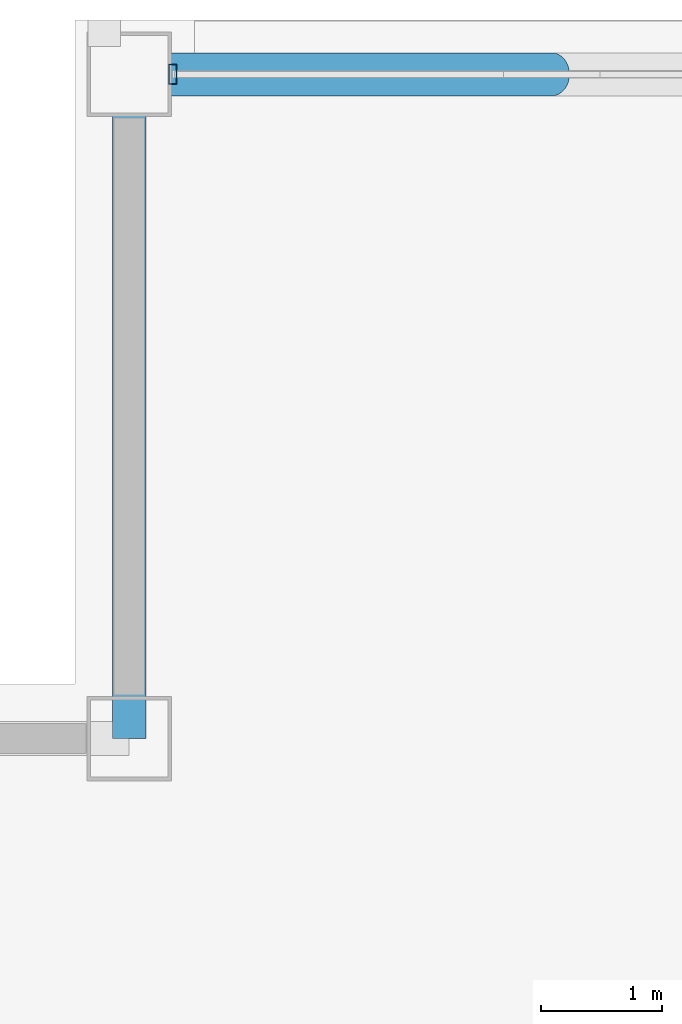
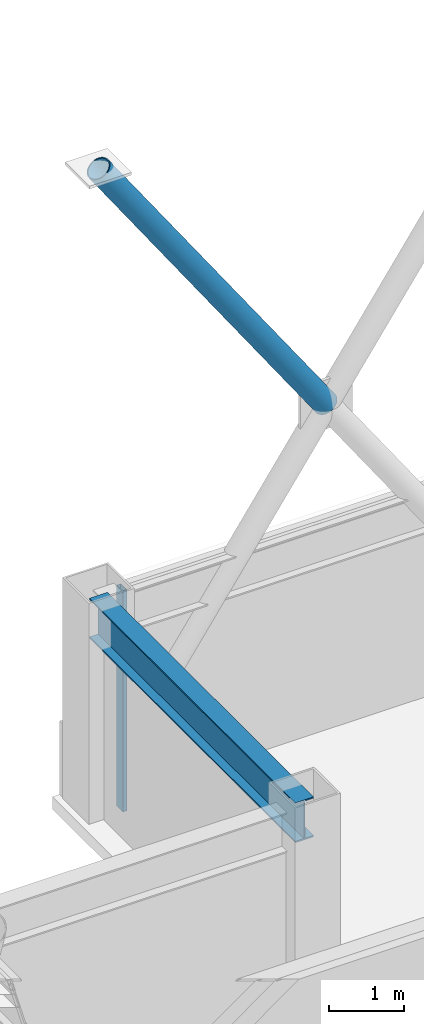
# One storey, part 21 of 33: 2 members, 1 beam, 1 element without a shape of its own.
"""IFC4 building model written with IfcOpenShell, lengths in metres."""

from ifc_helpers import new_model, si_unit, direction, frame, origin, origin_2d, place, context, subcontext, project, spatial, hollow_rectangle, hollow_circle, i_section, extrude, material, layer, layer_set, material_profile, profile_set, type_object, element, aggregate, save


model = new_model("IFC4")

# Units and contexts
model_context = context("Model", 3, precision=1e-05, world=origin(), true_north=direction((0.0, 1.0)))
body_context = subcontext(model_context, "Body", "Model", "MODEL_VIEW")
ifc_project = project(units=[si_unit("LENGTHUNIT", "METRE"), si_unit("AREAUNIT", "SQUARE_METRE"), si_unit("VOLUMEUNIT", "CUBIC_METRE"), si_unit("PLANEANGLEUNIT", "RADIAN"), si_unit("MASSUNIT", "GRAM", prefix="KILO")], contexts=[model_context])

# Site, building, storey
site_placement = place(None, origin())
site = spatial("IfcSite", under=ifc_project, at=site_placement, CompositionType="ELEMENT")
building_placement = place(site_placement, origin())
building = spatial("IfcBuilding", under=site, at=building_placement, Name="Brelmoor Portico Tower", CompositionType="ELEMENT")
storey_placement = place(building_placement, frame((0.0, 0.0, 194.699951171875)))
storey = spatial("IfcBuildingStorey", under=building, at=storey_placement, Name="L51", CompositionType="ELEMENT", Elevation=194.699951171875)

# Beam
ifc_material_1 = material(Name="Steel Q355B", Category="steel")
ifc_material_profile_1 = material_profile(ifc_material_1, i_section(OverallWidth=0.280029296875, OverallDepth=0.64990234375, WebThickness=0.012939453125, FlangeThickness=0.02197265625, at=origin_2d()), Name="HN 650x280x13x22")
ifc_profile_set_1 = profile_set([ifc_material_profile_1], Name="Steel Q355B")
beam_type = type_object("IfcBeamType", Name="BM-SP-650", PredefinedType="SPANDREL", material=ifc_profile_set_1)
beam_placement = place(storey_placement, frame((-15.050048828125, 13.050048828125, 3.074951171875), z_axis=(0.0, 1.0, 0.0), x_axis=(-1.0, 0.0, 0.0)))
element("IfcBeam", 1, at=beam_placement, inside=storey, type_object=beam_type, Name="L51 Perimeter Spandrel Beam SP-15", PredefinedType="SPANDREL", context=body_context, shape_type="SweptSolid", body=[
    extrude(i_section(OverallWidth=0.280029296875, OverallDepth=0.64990234375, WebThickness=0.012939453125, FlangeThickness=0.02197265625, at=origin_2d()), origin(), (0.0, 0.0, 1.0), 5.5),
])

# Member
ifc_material_profile_2 = material_profile(ifc_material_1, hollow_circle(Radius=0.177978515625, WallThickness=0.01611328125, at=origin_2d()), Name="CHS 356x16")
ifc_profile_set_2 = profile_set([ifc_material_profile_2], Name="Steel Q355B")
member_type_1 = type_object("IfcMemberType", Name="MB-BELT-DIAG2", PredefinedType="BRACE", material=ifc_profile_set_2)
member_1_placement = place(storey_placement, frame((-11.550048828125, 18.550048828125, 5.300048828125), z_axis=(-0.569629338867, 0.0, 0.821901707203), x_axis=(0.0, -1.0, 0.0)))
element("IfcMember", 2, at=member_1_placement, inside=storey, type_object=member_type_1, Name="L51 Split Mega-X Brace 119B2", PredefinedType="BRACE", context=body_context, shape_type="SweptSolid", body=[
    extrude(hollow_circle(Radius=0.177978515625, WallThickness=0.01611328125, at=origin_2d()), origin(), (0.0, 0.0, 1.0), 6.144287109375),
])

# Curtain wall, member
ifc_material_2 = material(Name="Anodised Aluminium Alloy 6063-T6", Category="aluminium")
ifc_layer = layer(ifc_material_2, 0.179931640625)
ifc_layer_set = layer_set([ifc_layer], Name="Anodised Aluminium Alloy 6063-T6")
curtain_wall_type = type_object("IfcCurtainWallType", Name="CW-TOWER-Z3-XB", PredefinedType="NOTDEFINED", material=ifc_layer_set)
curtain_wall_placement = place(storey_placement, origin())
curtain_wall = element("IfcCurtainWall", 3, at=curtain_wall_placement, inside=storey, type_object=curtain_wall_type, Name="L51 Curtain Wall CW-L51-02-1", PredefinedType="NOTDEFINED")
ifc_material_profile_3 = material_profile(ifc_material_2, hollow_rectangle(XDim=0.06494140625, YDim=0.1650390625, WallThickness=0.00390625, at=origin_2d()), Name="ALU MULLION 65x165")
ifc_profile_set_3 = profile_set([ifc_material_profile_3], Name="Anodised Aluminium Alloy 6063-T6")
member_type_2 = type_object("IfcMemberType", Name="MB-CW-MULL-165", PredefinedType="MULLION", material=ifc_profile_set_3)
member_2_placement = place(storey_placement, frame((-14.68994140625, 18.550048828125, -0.199951171875), z_axis=(0.0, 0.0, 1.0), x_axis=(1.0, 0.0, 0.0)))
member_2 = element("IfcMember", 4, at=member_2_placement, type_object=member_type_2, Name="CW-L51-02-1 Mullion 00", PredefinedType="MULLION", context=body_context, shape_type="SweptSolid", body=[
    extrude(hollow_rectangle(XDim=0.06494140625, YDim=0.1650390625, WallThickness=0.00390625, at=origin_2d()), origin(), (0.0, 0.0, 1.0), 3.60009765625),
])
aggregate(curtain_wall, [member_2])

save(model, "model.ifc")
